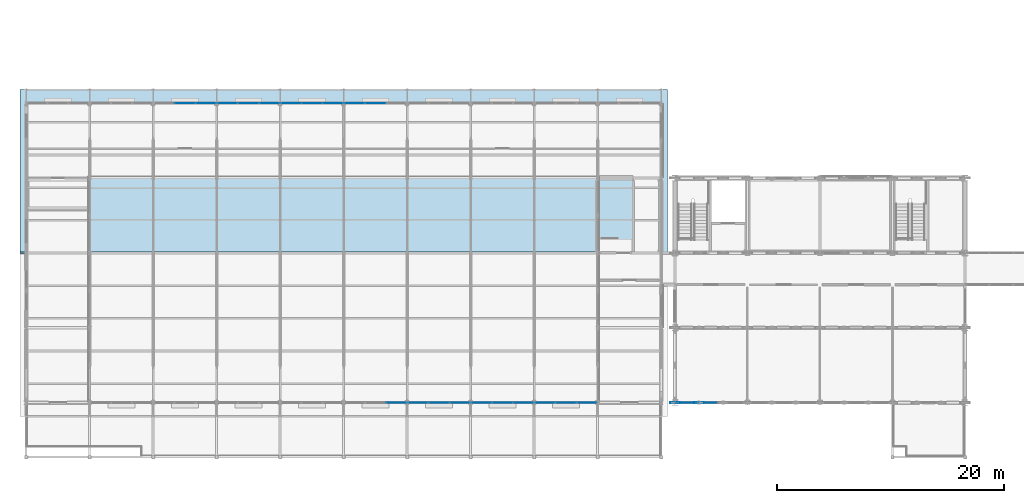
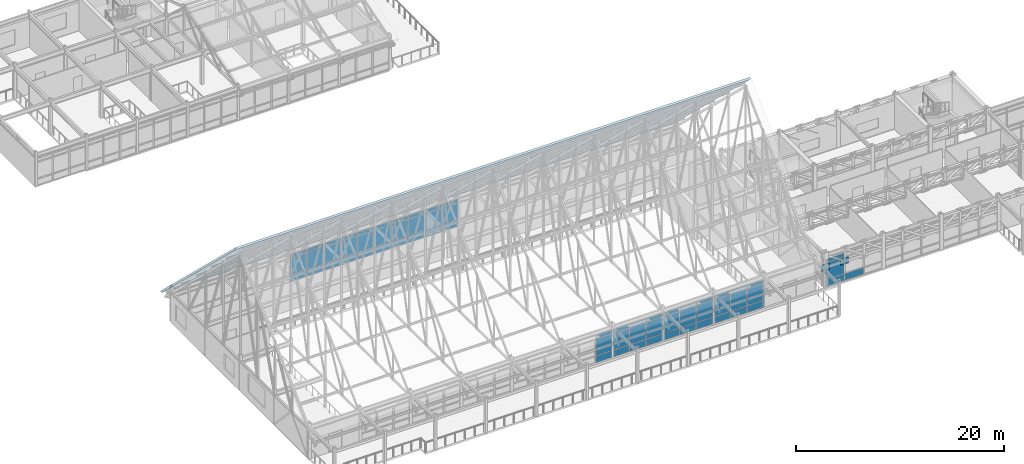
# One storey, part 92 of 144: 66 plates, 1 slab, 9 elements without a shape of their own.
"""IFC4 building model written with IfcOpenShell, lengths in metres."""

from ifc_helpers import new_model, si_unit, direction, frame, origin, origin_2d, place, context, subcontext, project, spatial, polyline, rectangle, outline, extrude, material, layer, layer_set, type_object, element, aggregate, save


model = new_model("IFC4")

# Units and contexts
model_context = context("Model", 3, precision=1e-05, world=origin(), true_north=direction((0.0, 1.0)))
body_context = subcontext(model_context, "Body", "Model", "MODEL_VIEW")
ifc_project = project(units=[si_unit("LENGTHUNIT", "METRE"), si_unit("AREAUNIT", "SQUARE_METRE"), si_unit("VOLUMEUNIT", "CUBIC_METRE"), si_unit("PLANEANGLEUNIT", "RADIAN"), si_unit("MASSUNIT", "GRAM", prefix="KILO")], contexts=[model_context])

# Site, building, storey
site_placement = place(None, origin())
site = spatial("IfcSite", under=ifc_project, at=site_placement, CompositionType="ELEMENT")
building_placement = place(site_placement, origin())
building = spatial("IfcBuilding", under=site, at=building_placement, Name="Trelmorton Wharf Fire Station", CompositionType="ELEMENT")
storey_placement = place(building_placement, frame((0.0, 0.0, 5.39990234375)))
storey = spatial("IfcBuildingStorey", under=building, at=storey_placement, Name="L01", CompositionType="ELEMENT", Elevation=5.39990234375)

# Curtain wall, plates
ifc_material_1 = material(Name="Anodised aluminium AW-6063", Category="aluminium")
ifc_layer_1 = layer(ifc_material_1, 0.159912109375)
ifc_layer_set_1 = layer_set([ifc_layer_1], Name="Anodised aluminium AW-6063")
curtain_wall_type_1 = type_object("IfcCurtainWallType", Name="CW_CHIC_A", PredefinedType="USERDEFINED", material=ifc_layer_set_1)
curtain_wall_1_placement = place(storey_placement, origin())
curtain_wall_1 = element("IfcCurtainWall", 1, at=curtain_wall_1_placement, inside=storey, type_object=curtain_wall_type_1, Name="CW-V1-L01-005", ObjectType="CHICAGO BAY CURTAIN WALL", PredefinedType="USERDEFINED")
ifc_material_2 = material(Name="Tempered low-E double glazing", Category="glass")
ifc_layer_2 = layer(ifc_material_2, 0.028076171875)
ifc_layer_set_2 = layer_set([ifc_layer_2], Name="Tempered low-E double glazing")
plate_type_1 = type_object("IfcPlateType", Name="CWP_GLAZ_28", PredefinedType="CURTAIN_PANEL", material=ifc_layer_set_2)
plate_1_placement = place(storey_placement, frame((33.4482421875, 7.800048828125, 0.06005859375), z_axis=(0.0, 0.0, 1.0), x_axis=(-1.0, 0.0, 0.0)))
plate_1 = element("IfcPlate", 2, at=plate_1_placement, type_object=plate_type_1, Name="CW1 panel 1.1", PredefinedType="CURTAIN_PANEL", context=body_context, shape_type="SweptSolid", body=[
    extrude(rectangle(XDim=1.7734375, YDim=0.028076171875, at=origin_2d()), origin(), (0.0, 0.0, 1.0), 0.760009765625),
])
plate_2_placement = place(storey_placement, frame((33.4482421875, 7.800048828125, 0.88037109375), z_axis=(0.0, 0.0, 1.0), x_axis=(-1.0, 0.0, 0.0)))
plate_2 = element("IfcPlate", 3, at=plate_2_placement, type_object=plate_type_1, Name="CW1 panel 1.2", PredefinedType="CURTAIN_PANEL", context=body_context, shape_type="SweptSolid", body=[
    extrude(rectangle(XDim=1.7734375, YDim=0.028076171875, at=origin_2d()), origin(), (0.0, 0.0, 1.0), 1.909912109375),
])
plate_3_placement = place(storey_placement, frame((33.4482421875, 7.800048828125, 2.85009765625), z_axis=(0.0, 0.0, 1.0), x_axis=(-1.0, 0.0, 0.0)))
plate_3 = element("IfcPlate", 4, at=plate_3_placement, type_object=plate_type_1, Name="CW1 panel 1.3", PredefinedType="CURTAIN_PANEL", context=body_context, shape_type="SweptSolid", body=[
    extrude(rectangle(XDim=1.7734375, YDim=0.028076171875, at=origin_2d()), origin(), (0.0, 0.0, 1.0), 0.409912109375),
])
aggregate(curtain_wall_1, [plate_1, plate_2, plate_3])

curtain_wall_2_placement = place(storey_placement, origin())
curtain_wall_2 = element("IfcCurtainWall", 5, at=curtain_wall_2_placement, inside=storey, type_object=curtain_wall_type_1, Name="CW-V1-L01-007", ObjectType="CHICAGO BAY CURTAIN WALL", PredefinedType="USERDEFINED")
plate_4_placement = place(storey_placement, frame((44.6484375, 7.800048828125, 0.06005859375), z_axis=(0.0, 0.0, 1.0), x_axis=(-1.0, 0.0, 0.0)))
plate_4 = element("IfcPlate", 6, at=plate_4_placement, type_object=plate_type_1, Name="CW1 panel 1.1", PredefinedType="CURTAIN_PANEL", context=body_context, shape_type="SweptSolid", body=[
    extrude(rectangle(XDim=1.7734375, YDim=0.028076171875, at=origin_2d()), origin(), (0.0, 0.0, 1.0), 0.760009765625),
])
plate_5_placement = place(storey_placement, frame((44.6484375, 7.800048828125, 0.88037109375), z_axis=(0.0, 0.0, 1.0), x_axis=(-1.0, 0.0, 0.0)))
plate_5 = element("IfcPlate", 7, at=plate_5_placement, type_object=plate_type_1, Name="CW1 panel 1.2", PredefinedType="CURTAIN_PANEL", context=body_context, shape_type="SweptSolid", body=[
    extrude(rectangle(XDim=1.7734375, YDim=0.028076171875, at=origin_2d()), origin(), (0.0, 0.0, 1.0), 1.909912109375),
])
plate_6_placement = place(storey_placement, frame((44.6484375, 7.800048828125, 2.85009765625), z_axis=(0.0, 0.0, 1.0), x_axis=(-1.0, 0.0, 0.0)))
plate_6 = element("IfcPlate", 8, at=plate_6_placement, type_object=plate_type_1, Name="CW1 panel 1.3", PredefinedType="CURTAIN_PANEL", context=body_context, shape_type="SweptSolid", body=[
    extrude(rectangle(XDim=1.7734375, YDim=0.028076171875, at=origin_2d()), origin(), (0.0, 0.0, 1.0), 0.409912109375),
])
plate_7_placement = place(storey_placement, frame((42.800048828125, 7.800048828125, 0.06005859375), z_axis=(0.0, 0.0, 1.0), x_axis=(-1.0, 0.0, 0.0)))
plate_7 = element("IfcPlate", 9, at=plate_7_placement, type_object=plate_type_1, Name="CW1 panel 2.1", PredefinedType="CURTAIN_PANEL", context=body_context, shape_type="SweptSolid", body=[
    extrude(rectangle(XDim=1.80322265625, YDim=0.028076171875, at=origin_2d()), origin(), (0.0, 0.0, 1.0), 0.760009765625),
])
plate_8_placement = place(storey_placement, frame((42.800048828125, 7.800048828125, 0.88037109375), z_axis=(0.0, 0.0, 1.0), x_axis=(-1.0, 0.0, 0.0)))
plate_8 = element("IfcPlate", 10, at=plate_8_placement, type_object=plate_type_1, Name="CW1 panel 2.2", PredefinedType="CURTAIN_PANEL", context=body_context, shape_type="SweptSolid", body=[
    extrude(rectangle(XDim=1.80322265625, YDim=0.028076171875, at=origin_2d()), origin(), (0.0, 0.0, 1.0), 1.909912109375),
])
plate_9_placement = place(storey_placement, frame((42.800048828125, 7.800048828125, 2.85009765625), z_axis=(0.0, 0.0, 1.0), x_axis=(-1.0, 0.0, 0.0)))
plate_9 = element("IfcPlate", 11, at=plate_9_placement, type_object=plate_type_1, Name="CW1 panel 2.3", PredefinedType="CURTAIN_PANEL", context=body_context, shape_type="SweptSolid", body=[
    extrude(rectangle(XDim=1.80322265625, YDim=0.028076171875, at=origin_2d()), origin(), (0.0, 0.0, 1.0), 0.409912109375),
])
plate_10_placement = place(storey_placement, frame((40.95166015625, 7.800048828125, 0.06005859375), z_axis=(0.0, 0.0, 1.0), x_axis=(-1.0, 0.0, 0.0)))
plate_10 = element("IfcPlate", 12, at=plate_10_placement, type_object=plate_type_1, Name="CW1 panel 3.1", PredefinedType="CURTAIN_PANEL", context=body_context, shape_type="SweptSolid", body=[
    extrude(rectangle(XDim=1.7734375, YDim=0.028076171875, at=origin_2d()), origin(), (0.0, 0.0, 1.0), 0.760009765625),
])
plate_11_placement = place(storey_placement, frame((40.95166015625, 7.800048828125, 0.88037109375), z_axis=(0.0, 0.0, 1.0), x_axis=(-1.0, 0.0, 0.0)))
plate_11 = element("IfcPlate", 13, at=plate_11_placement, type_object=plate_type_1, Name="CW1 panel 3.2", PredefinedType="CURTAIN_PANEL", context=body_context, shape_type="SweptSolid", body=[
    extrude(rectangle(XDim=1.7734375, YDim=0.028076171875, at=origin_2d()), origin(), (0.0, 0.0, 1.0), 1.909912109375),
])
plate_12_placement = place(storey_placement, frame((40.95166015625, 7.800048828125, 2.85009765625), z_axis=(0.0, 0.0, 1.0), x_axis=(-1.0, 0.0, 0.0)))
plate_12 = element("IfcPlate", 14, at=plate_12_placement, type_object=plate_type_1, Name="CW1 panel 3.3", PredefinedType="CURTAIN_PANEL", context=body_context, shape_type="SweptSolid", body=[
    extrude(rectangle(XDim=1.7734375, YDim=0.028076171875, at=origin_2d()), origin(), (0.0, 0.0, 1.0), 0.409912109375),
])
aggregate(curtain_wall_2, [plate_4, plate_5, plate_6, plate_7, plate_8, plate_9, plate_10, plate_11, plate_12])

curtain_wall_3_placement = place(storey_placement, origin())
curtain_wall_3 = element("IfcCurtainWall", 15, at=curtain_wall_3_placement, inside=storey, type_object=curtain_wall_type_1, Name="CW-V1-L01-008", ObjectType="CHICAGO BAY CURTAIN WALL", PredefinedType="USERDEFINED")
plate_13_placement = place(storey_placement, frame((50.248291015625, 7.800048828125, 0.06005859375), z_axis=(0.0, 0.0, 1.0), x_axis=(-1.0, 0.0, 0.0)))
plate_13 = element("IfcPlate", 16, at=plate_13_placement, type_object=plate_type_1, Name="CW1 panel 1.1", PredefinedType="CURTAIN_PANEL", context=body_context, shape_type="SweptSolid", body=[
    extrude(rectangle(XDim=1.7734375, YDim=0.028076171875, at=origin_2d()), origin(), (0.0, 0.0, 1.0), 0.760009765625),
])
plate_14_placement = place(storey_placement, frame((50.248291015625, 7.800048828125, 0.88037109375), z_axis=(0.0, 0.0, 1.0), x_axis=(-1.0, 0.0, 0.0)))
plate_14 = element("IfcPlate", 17, at=plate_14_placement, type_object=plate_type_1, Name="CW1 panel 1.2", PredefinedType="CURTAIN_PANEL", context=body_context, shape_type="SweptSolid", body=[
    extrude(rectangle(XDim=1.7734375, YDim=0.028076171875, at=origin_2d()), origin(), (0.0, 0.0, 1.0), 1.909912109375),
])
plate_15_placement = place(storey_placement, frame((50.248291015625, 7.800048828125, 2.85009765625), z_axis=(0.0, 0.0, 1.0), x_axis=(-1.0, 0.0, 0.0)))
plate_15 = element("IfcPlate", 18, at=plate_15_placement, type_object=plate_type_1, Name="CW1 panel 1.3", PredefinedType="CURTAIN_PANEL", context=body_context, shape_type="SweptSolid", body=[
    extrude(rectangle(XDim=1.7734375, YDim=0.028076171875, at=origin_2d()), origin(), (0.0, 0.0, 1.0), 0.409912109375),
])
plate_16_placement = place(storey_placement, frame((48.39990234375, 7.800048828125, 0.06005859375), z_axis=(0.0, 0.0, 1.0), x_axis=(-1.0, 0.0, 0.0)))
plate_16 = element("IfcPlate", 19, at=plate_16_placement, type_object=plate_type_1, Name="CW1 panel 2.1", PredefinedType="CURTAIN_PANEL", context=body_context, shape_type="SweptSolid", body=[
    extrude(rectangle(XDim=1.80322265625, YDim=0.028076171875, at=origin_2d()), origin(), (0.0, 0.0, 1.0), 0.760009765625),
])
plate_17_placement = place(storey_placement, frame((48.39990234375, 7.800048828125, 0.88037109375), z_axis=(0.0, 0.0, 1.0), x_axis=(-1.0, 0.0, 0.0)))
plate_17 = element("IfcPlate", 20, at=plate_17_placement, type_object=plate_type_1, Name="CW1 panel 2.2", PredefinedType="CURTAIN_PANEL", context=body_context, shape_type="SweptSolid", body=[
    extrude(rectangle(XDim=1.80322265625, YDim=0.028076171875, at=origin_2d()), origin(), (0.0, 0.0, 1.0), 1.909912109375),
])
plate_18_placement = place(storey_placement, frame((48.39990234375, 7.800048828125, 2.85009765625), z_axis=(0.0, 0.0, 1.0), x_axis=(-1.0, 0.0, 0.0)))
plate_18 = element("IfcPlate", 21, at=plate_18_placement, type_object=plate_type_1, Name="CW1 panel 2.3", PredefinedType="CURTAIN_PANEL", context=body_context, shape_type="SweptSolid", body=[
    extrude(rectangle(XDim=1.80322265625, YDim=0.028076171875, at=origin_2d()), origin(), (0.0, 0.0, 1.0), 0.409912109375),
])
plate_19_placement = place(storey_placement, frame((46.5517578125, 7.800048828125, 0.06005859375), z_axis=(0.0, 0.0, 1.0), x_axis=(-1.0, 0.0, 0.0)))
plate_19 = element("IfcPlate", 22, at=plate_19_placement, type_object=plate_type_1, Name="CW1 panel 3.1", PredefinedType="CURTAIN_PANEL", context=body_context, shape_type="SweptSolid", body=[
    extrude(rectangle(XDim=1.7734375, YDim=0.028076171875, at=origin_2d()), origin(), (0.0, 0.0, 1.0), 0.760009765625),
])
plate_20_placement = place(storey_placement, frame((46.5517578125, 7.800048828125, 0.88037109375), z_axis=(0.0, 0.0, 1.0), x_axis=(-1.0, 0.0, 0.0)))
plate_20 = element("IfcPlate", 23, at=plate_20_placement, type_object=plate_type_1, Name="CW1 panel 3.2", PredefinedType="CURTAIN_PANEL", context=body_context, shape_type="SweptSolid", body=[
    extrude(rectangle(XDim=1.7734375, YDim=0.028076171875, at=origin_2d()), origin(), (0.0, 0.0, 1.0), 1.909912109375),
])
plate_21_placement = place(storey_placement, frame((46.5517578125, 7.800048828125, 2.85009765625), z_axis=(0.0, 0.0, 1.0), x_axis=(-1.0, 0.0, 0.0)))
plate_21 = element("IfcPlate", 24, at=plate_21_placement, type_object=plate_type_1, Name="CW1 panel 3.3", PredefinedType="CURTAIN_PANEL", context=body_context, shape_type="SweptSolid", body=[
    extrude(rectangle(XDim=1.7734375, YDim=0.028076171875, at=origin_2d()), origin(), (0.0, 0.0, 1.0), 0.409912109375),
])
aggregate(curtain_wall_3, [plate_13, plate_14, plate_15, plate_16, plate_17, plate_18, plate_19, plate_20, plate_21])

ifc_layer_3 = layer(ifc_material_1, 0.175048828125)
ifc_layer_set_3 = layer_set([ifc_layer_3], Name="Anodised aluminium AW-6063")
curtain_wall_type_2 = type_object("IfcCurtainWallType", Name="CW_CHIC_B", PredefinedType="USERDEFINED", material=ifc_layer_set_3)
curtain_wall_4_placement = place(storey_placement, origin())
curtain_wall_4 = element("IfcCurtainWall", 25, at=curtain_wall_4_placement, inside=storey, type_object=curtain_wall_type_2, Name="CW-V1-L01-011", ObjectType="CHICAGO BAY CURTAIN WALL", PredefinedType="USERDEFINED")
plate_22_placement = place(storey_placement, frame((14.800048828125, 34.199951171875, 0.06005859375), z_axis=(0.0, 0.0, 1.0), x_axis=(1.0, 0.0, 0.0)))
plate_22 = element("IfcPlate", 26, at=plate_22_placement, type_object=plate_type_1, Name="CW2 panel 2.1", PredefinedType="CURTAIN_PANEL", context=body_context, shape_type="SweptSolid", body=[
    extrude(rectangle(XDim=1.80322265625, YDim=0.028076171875, at=origin_2d()), origin(), (0.0, 0.0, 1.0), 0.760009765625),
])
plate_23_placement = place(storey_placement, frame((14.800048828125, 34.199951171875, 0.88037109375), z_axis=(0.0, 0.0, 1.0), x_axis=(1.0, 0.0, 0.0)))
plate_23 = element("IfcPlate", 27, at=plate_23_placement, type_object=plate_type_1, Name="CW2 panel 2.2", PredefinedType="CURTAIN_PANEL", context=body_context, shape_type="SweptSolid", body=[
    extrude(rectangle(XDim=1.80322265625, YDim=0.028076171875, at=origin_2d()), origin(), (0.0, 0.0, 1.0), 1.909912109375),
])
plate_24_placement = place(storey_placement, frame((14.800048828125, 34.199951171875, 2.85009765625), z_axis=(0.0, 0.0, 1.0), x_axis=(1.0, 0.0, 0.0)))
plate_24 = element("IfcPlate", 28, at=plate_24_placement, type_object=plate_type_1, Name="CW2 panel 2.3", PredefinedType="CURTAIN_PANEL", context=body_context, shape_type="SweptSolid", body=[
    extrude(rectangle(XDim=1.80322265625, YDim=0.028076171875, at=origin_2d()), origin(), (0.0, 0.0, 1.0), 0.409912109375),
])
plate_25_placement = place(storey_placement, frame((16.6484375, 34.199951171875, 0.06005859375), z_axis=(0.0, 0.0, 1.0), x_axis=(1.0, 0.0, 0.0)))
plate_25 = element("IfcPlate", 29, at=plate_25_placement, type_object=plate_type_1, Name="CW2 panel 3.1", PredefinedType="CURTAIN_PANEL", context=body_context, shape_type="SweptSolid", body=[
    extrude(rectangle(XDim=1.7734375, YDim=0.028076171875, at=origin_2d()), origin(), (0.0, 0.0, 1.0), 0.760009765625),
])
plate_26_placement = place(storey_placement, frame((16.6484375, 34.199951171875, 0.88037109375), z_axis=(0.0, 0.0, 1.0), x_axis=(1.0, 0.0, 0.0)))
plate_26 = element("IfcPlate", 30, at=plate_26_placement, type_object=plate_type_1, Name="CW2 panel 3.2", PredefinedType="CURTAIN_PANEL", context=body_context, shape_type="SweptSolid", body=[
    extrude(rectangle(XDim=1.7734375, YDim=0.028076171875, at=origin_2d()), origin(), (0.0, 0.0, 1.0), 1.909912109375),
])
plate_27_placement = place(storey_placement, frame((16.6484375, 34.199951171875, 2.85009765625), z_axis=(0.0, 0.0, 1.0), x_axis=(1.0, 0.0, 0.0)))
plate_27 = element("IfcPlate", 31, at=plate_27_placement, type_object=plate_type_1, Name="CW2 panel 3.3", PredefinedType="CURTAIN_PANEL", context=body_context, shape_type="SweptSolid", body=[
    extrude(rectangle(XDim=1.7734375, YDim=0.028076171875, at=origin_2d()), origin(), (0.0, 0.0, 1.0), 0.409912109375),
])
aggregate(curtain_wall_4, [plate_22, plate_23, plate_24, plate_25, plate_26, plate_27])

curtain_wall_5_placement = place(storey_placement, origin())
curtain_wall_5 = element("IfcCurtainWall", 32, at=curtain_wall_5_placement, inside=storey, type_object=curtain_wall_type_2, Name="CW-V1-L01-013", ObjectType="CHICAGO BAY CURTAIN WALL", PredefinedType="USERDEFINED")
plate_28_placement = place(storey_placement, frame((24.151611328125, 34.199951171875, 0.06005859375), z_axis=(0.0, 0.0, 1.0), x_axis=(1.0, 0.0, 0.0)))
plate_28 = element("IfcPlate", 33, at=plate_28_placement, type_object=plate_type_1, Name="CW2 panel 1.1", PredefinedType="CURTAIN_PANEL", context=body_context, shape_type="SweptSolid", body=[
    extrude(rectangle(XDim=1.7734375, YDim=0.028076171875, at=origin_2d()), origin(), (0.0, 0.0, 1.0), 0.760009765625),
])
plate_29_placement = place(storey_placement, frame((24.151611328125, 34.199951171875, 0.88037109375), z_axis=(0.0, 0.0, 1.0), x_axis=(1.0, 0.0, 0.0)))
plate_29 = element("IfcPlate", 34, at=plate_29_placement, type_object=plate_type_1, Name="CW2 panel 1.2", PredefinedType="CURTAIN_PANEL", context=body_context, shape_type="SweptSolid", body=[
    extrude(rectangle(XDim=1.7734375, YDim=0.028076171875, at=origin_2d()), origin(), (0.0, 0.0, 1.0), 1.909912109375),
])
plate_30_placement = place(storey_placement, frame((24.151611328125, 34.199951171875, 2.85009765625), z_axis=(0.0, 0.0, 1.0), x_axis=(1.0, 0.0, 0.0)))
plate_30 = element("IfcPlate", 35, at=plate_30_placement, type_object=plate_type_1, Name="CW2 panel 1.3", PredefinedType="CURTAIN_PANEL", context=body_context, shape_type="SweptSolid", body=[
    extrude(rectangle(XDim=1.7734375, YDim=0.028076171875, at=origin_2d()), origin(), (0.0, 0.0, 1.0), 0.409912109375),
])
plate_31_placement = place(storey_placement, frame((26.0, 34.199951171875, 0.06005859375), z_axis=(0.0, 0.0, 1.0), x_axis=(1.0, 0.0, 0.0)))
plate_31 = element("IfcPlate", 36, at=plate_31_placement, type_object=plate_type_1, Name="CW2 panel 2.1", PredefinedType="CURTAIN_PANEL", context=body_context, shape_type="SweptSolid", body=[
    extrude(rectangle(XDim=1.80322265625, YDim=0.028076171875, at=origin_2d()), origin(), (0.0, 0.0, 1.0), 0.760009765625),
])
plate_32_placement = place(storey_placement, frame((26.0, 34.199951171875, 0.88037109375), z_axis=(0.0, 0.0, 1.0), x_axis=(1.0, 0.0, 0.0)))
plate_32 = element("IfcPlate", 37, at=plate_32_placement, type_object=plate_type_1, Name="CW2 panel 2.2", PredefinedType="CURTAIN_PANEL", context=body_context, shape_type="SweptSolid", body=[
    extrude(rectangle(XDim=1.80322265625, YDim=0.028076171875, at=origin_2d()), origin(), (0.0, 0.0, 1.0), 1.909912109375),
])
plate_33_placement = place(storey_placement, frame((26.0, 34.199951171875, 2.85009765625), z_axis=(0.0, 0.0, 1.0), x_axis=(1.0, 0.0, 0.0)))
plate_33 = element("IfcPlate", 38, at=plate_33_placement, type_object=plate_type_1, Name="CW2 panel 2.3", PredefinedType="CURTAIN_PANEL", context=body_context, shape_type="SweptSolid", body=[
    extrude(rectangle(XDim=1.80322265625, YDim=0.028076171875, at=origin_2d()), origin(), (0.0, 0.0, 1.0), 0.409912109375),
])
plate_34_placement = place(storey_placement, frame((27.848388671875, 34.199951171875, 0.06005859375), z_axis=(0.0, 0.0, 1.0), x_axis=(1.0, 0.0, 0.0)))
plate_34 = element("IfcPlate", 39, at=plate_34_placement, type_object=plate_type_1, Name="CW2 panel 3.1", PredefinedType="CURTAIN_PANEL", context=body_context, shape_type="SweptSolid", body=[
    extrude(rectangle(XDim=1.7734375, YDim=0.028076171875, at=origin_2d()), origin(), (0.0, 0.0, 1.0), 0.760009765625),
])
plate_35_placement = place(storey_placement, frame((27.848388671875, 34.199951171875, 0.88037109375), z_axis=(0.0, 0.0, 1.0), x_axis=(1.0, 0.0, 0.0)))
plate_35 = element("IfcPlate", 40, at=plate_35_placement, type_object=plate_type_1, Name="CW2 panel 3.2", PredefinedType="CURTAIN_PANEL", context=body_context, shape_type="SweptSolid", body=[
    extrude(rectangle(XDim=1.7734375, YDim=0.028076171875, at=origin_2d()), origin(), (0.0, 0.0, 1.0), 1.909912109375),
])
plate_36_placement = place(storey_placement, frame((27.848388671875, 34.199951171875, 2.85009765625), z_axis=(0.0, 0.0, 1.0), x_axis=(1.0, 0.0, 0.0)))
plate_36 = element("IfcPlate", 41, at=plate_36_placement, type_object=plate_type_1, Name="CW2 panel 3.3", PredefinedType="CURTAIN_PANEL", context=body_context, shape_type="SweptSolid", body=[
    extrude(rectangle(XDim=1.7734375, YDim=0.028076171875, at=origin_2d()), origin(), (0.0, 0.0, 1.0), 0.409912109375),
])
aggregate(curtain_wall_5, [plate_28, plate_29, plate_30, plate_31, plate_32, plate_33, plate_34, plate_35, plate_36])

curtain_wall_6_placement = place(storey_placement, origin())
curtain_wall_6 = element("IfcCurtainWall", 42, at=curtain_wall_6_placement, inside=storey, type_object=curtain_wall_type_2, Name="CW-V1-L01-014", ObjectType="CHICAGO BAY CURTAIN WALL", PredefinedType="USERDEFINED")
plate_37_placement = place(storey_placement, frame((29.751708984375, 34.199951171875, 0.06005859375), z_axis=(0.0, 0.0, 1.0), x_axis=(1.0, 0.0, 0.0)))
plate_37 = element("IfcPlate", 43, at=plate_37_placement, type_object=plate_type_1, Name="CW2 panel 1.1", PredefinedType="CURTAIN_PANEL", context=body_context, shape_type="SweptSolid", body=[
    extrude(rectangle(XDim=1.7734375, YDim=0.028076171875, at=origin_2d()), origin(), (0.0, 0.0, 1.0), 0.760009765625),
])
plate_38_placement = place(storey_placement, frame((29.751708984375, 34.199951171875, 0.88037109375), z_axis=(0.0, 0.0, 1.0), x_axis=(1.0, 0.0, 0.0)))
plate_38 = element("IfcPlate", 44, at=plate_38_placement, type_object=plate_type_1, Name="CW2 panel 1.2", PredefinedType="CURTAIN_PANEL", context=body_context, shape_type="SweptSolid", body=[
    extrude(rectangle(XDim=1.7734375, YDim=0.028076171875, at=origin_2d()), origin(), (0.0, 0.0, 1.0), 1.909912109375),
])
plate_39_placement = place(storey_placement, frame((29.751708984375, 34.199951171875, 2.85009765625), z_axis=(0.0, 0.0, 1.0), x_axis=(1.0, 0.0, 0.0)))
plate_39 = element("IfcPlate", 45, at=plate_39_placement, type_object=plate_type_1, Name="CW2 panel 1.3", PredefinedType="CURTAIN_PANEL", context=body_context, shape_type="SweptSolid", body=[
    extrude(rectangle(XDim=1.7734375, YDim=0.028076171875, at=origin_2d()), origin(), (0.0, 0.0, 1.0), 0.409912109375),
])
plate_40_placement = place(storey_placement, frame((31.60009765625, 34.199951171875, 0.06005859375), z_axis=(0.0, 0.0, 1.0), x_axis=(1.0, 0.0, 0.0)))
plate_40 = element("IfcPlate", 46, at=plate_40_placement, type_object=plate_type_1, Name="CW2 panel 2.1", PredefinedType="CURTAIN_PANEL", context=body_context, shape_type="SweptSolid", body=[
    extrude(rectangle(XDim=1.80322265625, YDim=0.028076171875, at=origin_2d()), origin(), (0.0, 0.0, 1.0), 0.760009765625),
])
plate_41_placement = place(storey_placement, frame((31.60009765625, 34.199951171875, 0.88037109375), z_axis=(0.0, 0.0, 1.0), x_axis=(1.0, 0.0, 0.0)))
plate_41 = element("IfcPlate", 47, at=plate_41_placement, type_object=plate_type_1, Name="CW2 panel 2.2", PredefinedType="CURTAIN_PANEL", context=body_context, shape_type="SweptSolid", body=[
    extrude(rectangle(XDim=1.80322265625, YDim=0.028076171875, at=origin_2d()), origin(), (0.0, 0.0, 1.0), 1.909912109375),
])
plate_42_placement = place(storey_placement, frame((31.60009765625, 34.199951171875, 2.85009765625), z_axis=(0.0, 0.0, 1.0), x_axis=(1.0, 0.0, 0.0)))
plate_42 = element("IfcPlate", 48, at=plate_42_placement, type_object=plate_type_1, Name="CW2 panel 2.3", PredefinedType="CURTAIN_PANEL", context=body_context, shape_type="SweptSolid", body=[
    extrude(rectangle(XDim=1.80322265625, YDim=0.028076171875, at=origin_2d()), origin(), (0.0, 0.0, 1.0), 0.409912109375),
])
aggregate(curtain_wall_6, [plate_37, plate_38, plate_39, plate_40, plate_41, plate_42])

curtain_wall_7_placement = place(storey_placement, origin())
curtain_wall_7 = element("IfcCurtainWall", 49, at=curtain_wall_7_placement, inside=storey, type_object=curtain_wall_type_1, Name="CW-V3-L01-022", ObjectType="CHICAGO BAY CURTAIN WALL", PredefinedType="USERDEFINED")
plate_43_placement = place(storey_placement, frame((61.199951171875, 7.800048828125, 0.06005859375), z_axis=(0.0, 0.0, 1.0), x_axis=(-1.0, 0.0, 0.0)))
plate_43 = element("IfcPlate", 50, at=plate_43_placement, type_object=plate_type_1, Name="CW1 panel 2.1", PredefinedType="CURTAIN_PANEL", context=body_context, shape_type="SweptSolid", body=[
    extrude(rectangle(XDim=2.070068359375, YDim=0.028076171875, at=origin_2d()), origin(), (0.0, 0.0, 1.0), 0.760009765625),
])
plate_44_placement = place(storey_placement, frame((59.0849609375, 7.800048828125, 0.06005859375), z_axis=(0.0, 0.0, 1.0), x_axis=(-1.0, 0.0, 0.0)))
plate_44 = element("IfcPlate", 51, at=plate_44_placement, type_object=plate_type_1, Name="CW1 panel 3.1", PredefinedType="CURTAIN_PANEL", context=body_context, shape_type="SweptSolid", body=[
    extrude(rectangle(XDim=2.0400390625, YDim=0.028076171875, at=origin_2d()), origin(), (0.0, 0.0, 1.0), 0.760009765625),
])
plate_45_placement = place(storey_placement, frame((59.0849609375, 7.800048828125, 0.88037109375), z_axis=(0.0, 0.0, 1.0), x_axis=(-1.0, 0.0, 0.0)))
plate_45 = element("IfcPlate", 52, at=plate_45_placement, type_object=plate_type_1, Name="CW1 panel 3.2", PredefinedType="CURTAIN_PANEL", context=body_context, shape_type="SweptSolid", body=[
    extrude(rectangle(XDim=2.0400390625, YDim=0.028076171875, at=origin_2d()), origin(), (0.0, 0.0, 1.0), 1.909912109375),
])
plate_46_placement = place(storey_placement, frame((59.0849609375, 7.800048828125, 2.85009765625), z_axis=(0.0, 0.0, 1.0), x_axis=(-1.0, 0.0, 0.0)))
plate_46 = element("IfcPlate", 53, at=plate_46_placement, type_object=plate_type_1, Name="CW1 panel 3.3", PredefinedType="CURTAIN_PANEL", context=body_context, shape_type="SweptSolid", body=[
    extrude(rectangle(XDim=2.0400390625, YDim=0.028076171875, at=origin_2d()), origin(), (0.0, 0.0, 1.0), 0.409912109375),
])
aggregate(curtain_wall_7, [plate_43, plate_44, plate_45, plate_46])

curtain_wall_8_placement = place(storey_placement, origin())
curtain_wall_8 = element("IfcCurtainWall", 54, at=curtain_wall_8_placement, inside=storey, type_object=curtain_wall_type_1, Name="CW-V1-L01-006", ObjectType="CHICAGO BAY CURTAIN WALL", PredefinedType="USERDEFINED")
ifc_material_3 = material(Name="Ceramic-fritted spandrel glazing", Category="glass")
ifc_layer_4 = layer(ifc_material_3, 0.028076171875)
ifc_layer_set_4 = layer_set([ifc_layer_4], Name="Ceramic-fritted spandrel glazing")
plate_type_2 = type_object("IfcPlateType", Name="CWP_SPAN_48", PredefinedType="CURTAIN_PANEL", material=ifc_layer_set_4)
plate_47_placement = place(storey_placement, frame((39.04833984375, 7.800048828125, 0.06005859375), z_axis=(0.0, 0.0, 1.0), x_axis=(-1.0, 0.0, 0.0)))
plate_47 = element("IfcPlate", 55, at=plate_47_placement, type_object=plate_type_2, Name="CW1 panel 1.1", PredefinedType="CURTAIN_PANEL", context=body_context, shape_type="SweptSolid", body=[
    extrude(rectangle(XDim=1.7734375, YDim=0.028076171875, at=origin_2d()), origin(), (0.0, 0.0, 1.0), 0.760009765625),
])
plate_48_placement = place(storey_placement, frame((39.04833984375, 7.800048828125, 0.88037109375), z_axis=(0.0, 0.0, 1.0), x_axis=(-1.0, 0.0, 0.0)))
plate_48 = element("IfcPlate", 56, at=plate_48_placement, type_object=plate_type_2, Name="CW1 panel 1.2", PredefinedType="CURTAIN_PANEL", context=body_context, shape_type="SweptSolid", body=[
    extrude(rectangle(XDim=1.7734375, YDim=0.028076171875, at=origin_2d()), origin(), (0.0, 0.0, 1.0), 1.909912109375),
])
plate_49_placement = place(storey_placement, frame((39.04833984375, 7.800048828125, 2.85009765625), z_axis=(0.0, 0.0, 1.0), x_axis=(-1.0, 0.0, 0.0)))
plate_49 = element("IfcPlate", 57, at=plate_49_placement, type_object=plate_type_2, Name="CW1 panel 1.3", PredefinedType="CURTAIN_PANEL", context=body_context, shape_type="SweptSolid", body=[
    extrude(rectangle(XDim=1.7734375, YDim=0.028076171875, at=origin_2d()), origin(), (0.0, 0.0, 1.0), 0.409912109375),
])
plate_50_placement = place(storey_placement, frame((37.199951171875, 7.800048828125, 0.06005859375), z_axis=(0.0, 0.0, 1.0), x_axis=(-1.0, 0.0, 0.0)))
plate_50 = element("IfcPlate", 58, at=plate_50_placement, type_object=plate_type_2, Name="CW1 panel 2.1", PredefinedType="CURTAIN_PANEL", context=body_context, shape_type="SweptSolid", body=[
    extrude(rectangle(XDim=1.80322265625, YDim=0.028076171875, at=origin_2d()), origin(), (0.0, 0.0, 1.0), 0.760009765625),
])
plate_51_placement = place(storey_placement, frame((37.199951171875, 7.800048828125, 0.88037109375), z_axis=(0.0, 0.0, 1.0), x_axis=(-1.0, 0.0, 0.0)))
plate_51 = element("IfcPlate", 59, at=plate_51_placement, type_object=plate_type_2, Name="CW1 panel 2.2", PredefinedType="CURTAIN_PANEL", context=body_context, shape_type="SweptSolid", body=[
    extrude(rectangle(XDim=1.80322265625, YDim=0.028076171875, at=origin_2d()), origin(), (0.0, 0.0, 1.0), 1.909912109375),
])
plate_52_placement = place(storey_placement, frame((37.199951171875, 7.800048828125, 2.85009765625), z_axis=(0.0, 0.0, 1.0), x_axis=(-1.0, 0.0, 0.0)))
plate_52 = element("IfcPlate", 60, at=plate_52_placement, type_object=plate_type_2, Name="CW1 panel 2.3", PredefinedType="CURTAIN_PANEL", context=body_context, shape_type="SweptSolid", body=[
    extrude(rectangle(XDim=1.80322265625, YDim=0.028076171875, at=origin_2d()), origin(), (0.0, 0.0, 1.0), 0.409912109375),
])
plate_53_placement = place(storey_placement, frame((35.3515625, 7.800048828125, 0.06005859375), z_axis=(0.0, 0.0, 1.0), x_axis=(-1.0, 0.0, 0.0)))
plate_53 = element("IfcPlate", 61, at=plate_53_placement, type_object=plate_type_2, Name="CW1 panel 3.1", PredefinedType="CURTAIN_PANEL", context=body_context, shape_type="SweptSolid", body=[
    extrude(rectangle(XDim=1.7734375, YDim=0.028076171875, at=origin_2d()), origin(), (0.0, 0.0, 1.0), 0.760009765625),
])
plate_54_placement = place(storey_placement, frame((35.3515625, 7.800048828125, 0.88037109375), z_axis=(0.0, 0.0, 1.0), x_axis=(-1.0, 0.0, 0.0)))
plate_54 = element("IfcPlate", 62, at=plate_54_placement, type_object=plate_type_2, Name="CW1 panel 3.2", PredefinedType="CURTAIN_PANEL", context=body_context, shape_type="SweptSolid", body=[
    extrude(rectangle(XDim=1.7734375, YDim=0.028076171875, at=origin_2d()), origin(), (0.0, 0.0, 1.0), 1.909912109375),
])
plate_55_placement = place(storey_placement, frame((35.3515625, 7.800048828125, 2.85009765625), z_axis=(0.0, 0.0, 1.0), x_axis=(-1.0, 0.0, 0.0)))
plate_55 = element("IfcPlate", 63, at=plate_55_placement, type_object=plate_type_2, Name="CW1 panel 3.3", PredefinedType="CURTAIN_PANEL", context=body_context, shape_type="SweptSolid", body=[
    extrude(rectangle(XDim=1.7734375, YDim=0.028076171875, at=origin_2d()), origin(), (0.0, 0.0, 1.0), 0.409912109375),
])
aggregate(curtain_wall_8, [plate_47, plate_48, plate_49, plate_50, plate_51, plate_52, plate_53, plate_54, plate_55])

curtain_wall_9_placement = place(storey_placement, origin())
curtain_wall_9 = element("IfcCurtainWall", 64, at=curtain_wall_9_placement, inside=storey, type_object=curtain_wall_type_2, Name="CW-V1-L01-012", ObjectType="CHICAGO BAY CURTAIN WALL", PredefinedType="USERDEFINED")
plate_56_placement = place(storey_placement, frame((18.5517578125, 34.199951171875, 0.06005859375), z_axis=(0.0, 0.0, 1.0), x_axis=(1.0, 0.0, 0.0)))
plate_56 = element("IfcPlate", 65, at=plate_56_placement, type_object=plate_type_2, Name="CW2 panel 1.1", PredefinedType="CURTAIN_PANEL", context=body_context, shape_type="SweptSolid", body=[
    extrude(rectangle(XDim=1.7734375, YDim=0.028076171875, at=origin_2d()), origin(), (0.0, 0.0, 1.0), 0.760009765625),
])
plate_57_placement = place(storey_placement, frame((18.5517578125, 34.199951171875, 0.88037109375), z_axis=(0.0, 0.0, 1.0), x_axis=(1.0, 0.0, 0.0)))
plate_57 = element("IfcPlate", 66, at=plate_57_placement, type_object=plate_type_2, Name="CW2 panel 1.2", PredefinedType="CURTAIN_PANEL", context=body_context, shape_type="SweptSolid", body=[
    extrude(rectangle(XDim=1.7734375, YDim=0.028076171875, at=origin_2d()), origin(), (0.0, 0.0, 1.0), 1.909912109375),
])
plate_58_placement = place(storey_placement, frame((18.5517578125, 34.199951171875, 2.85009765625), z_axis=(0.0, 0.0, 1.0), x_axis=(1.0, 0.0, 0.0)))
plate_58 = element("IfcPlate", 67, at=plate_58_placement, type_object=plate_type_2, Name="CW2 panel 1.3", PredefinedType="CURTAIN_PANEL", context=body_context, shape_type="SweptSolid", body=[
    extrude(rectangle(XDim=1.7734375, YDim=0.028076171875, at=origin_2d()), origin(), (0.0, 0.0, 1.0), 0.409912109375),
])
plate_59_placement = place(storey_placement, frame((20.39990234375, 34.199951171875, 0.06005859375), z_axis=(0.0, 0.0, 1.0), x_axis=(1.0, 0.0, 0.0)))
plate_59 = element("IfcPlate", 68, at=plate_59_placement, type_object=plate_type_2, Name="CW2 panel 2.1", PredefinedType="CURTAIN_PANEL", context=body_context, shape_type="SweptSolid", body=[
    extrude(rectangle(XDim=1.80322265625, YDim=0.028076171875, at=origin_2d()), origin(), (0.0, 0.0, 1.0), 0.760009765625),
])
plate_60_placement = place(storey_placement, frame((20.39990234375, 34.199951171875, 0.88037109375), z_axis=(0.0, 0.0, 1.0), x_axis=(1.0, 0.0, 0.0)))
plate_60 = element("IfcPlate", 69, at=plate_60_placement, type_object=plate_type_2, Name="CW2 panel 2.2", PredefinedType="CURTAIN_PANEL", context=body_context, shape_type="SweptSolid", body=[
    extrude(rectangle(XDim=1.80322265625, YDim=0.028076171875, at=origin_2d()), origin(), (0.0, 0.0, 1.0), 1.909912109375),
])
plate_61_placement = place(storey_placement, frame((20.39990234375, 34.199951171875, 2.85009765625), z_axis=(0.0, 0.0, 1.0), x_axis=(1.0, 0.0, 0.0)))
plate_61 = element("IfcPlate", 70, at=plate_61_placement, type_object=plate_type_2, Name="CW2 panel 2.3", PredefinedType="CURTAIN_PANEL", context=body_context, shape_type="SweptSolid", body=[
    extrude(rectangle(XDim=1.80322265625, YDim=0.028076171875, at=origin_2d()), origin(), (0.0, 0.0, 1.0), 0.409912109375),
])
plate_62_placement = place(storey_placement, frame((22.248291015625, 34.199951171875, 0.06005859375), z_axis=(0.0, 0.0, 1.0), x_axis=(1.0, 0.0, 0.0)))
plate_62 = element("IfcPlate", 71, at=plate_62_placement, type_object=plate_type_2, Name="CW2 panel 3.1", PredefinedType="CURTAIN_PANEL", context=body_context, shape_type="SweptSolid", body=[
    extrude(rectangle(XDim=1.7734375, YDim=0.028076171875, at=origin_2d()), origin(), (0.0, 0.0, 1.0), 0.760009765625),
])
plate_63_placement = place(storey_placement, frame((22.248291015625, 34.199951171875, 0.88037109375), z_axis=(0.0, 0.0, 1.0), x_axis=(1.0, 0.0, 0.0)))
plate_63 = element("IfcPlate", 72, at=plate_63_placement, type_object=plate_type_2, Name="CW2 panel 3.2", PredefinedType="CURTAIN_PANEL", context=body_context, shape_type="SweptSolid", body=[
    extrude(rectangle(XDim=1.7734375, YDim=0.028076171875, at=origin_2d()), origin(), (0.0, 0.0, 1.0), 1.909912109375),
])
plate_64_placement = place(storey_placement, frame((22.248291015625, 34.199951171875, 2.85009765625), z_axis=(0.0, 0.0, 1.0), x_axis=(1.0, 0.0, 0.0)))
plate_64 = element("IfcPlate", 73, at=plate_64_placement, type_object=plate_type_2, Name="CW2 panel 3.3", PredefinedType="CURTAIN_PANEL", context=body_context, shape_type="SweptSolid", body=[
    extrude(rectangle(XDim=1.7734375, YDim=0.028076171875, at=origin_2d()), origin(), (0.0, 0.0, 1.0), 0.409912109375),
])
aggregate(curtain_wall_9, [plate_56, plate_57, plate_58, plate_59, plate_60, plate_61, plate_62, plate_63, plate_64])

# Plates
ifc_material_4 = material(Name="Steel Grade 350", Category="steel")
ifc_layer_5 = layer(ifc_material_4, 0.06005859375)
ifc_layer_set_5 = layer_set([ifc_layer_5], Name="Steel Grade 350")
plate_type_3 = type_object("IfcPlateType", Name="PL_GUSSET_KTN1", PredefinedType="USERDEFINED", material=ifc_layer_set_5)
for number, where, z_axis, x_axis, name in (
    (74, (58.011962890625, 7.800048828125, 1.97509765625), (0.0, 0.0, 1.0), (1.0, 0.0, 0.0), "PL-KTN-0001"),
    (75, (60.13330078125, 7.800048828125, 1.97509765625), (0.0, 0.0, 1.0), (1.0, 0.0, 0.0), "PL-KTN-0003"),
):
    element("IfcPlate", number, at=place(storey_placement, frame(where, z_axis=z_axis, x_axis=x_axis)), inside=storey, type_object=plate_type_3, Name=name, ObjectType="GUSSET PLATE", PredefinedType="USERDEFINED", context=body_context, shape_type="SweptSolid", body=[
        extrude(rectangle(XDim=0.85009765625, YDim=0.06005859375, at=origin_2d()), origin(), (0.0, 0.0, 1.0), 0.75),
    ])

# Slab
ifc_material_5 = material(Name="Precast concrete 45 MPa", Category="concrete")
ifc_layer_6 = layer(ifc_material_5, 0.199951171875)
ifc_layer_set_6 = layer_set([ifc_layer_6], Name="Precast concrete 45 MPa")
slab_type = type_object("IfcSlabType", Name="SL_ROOF_SLOPED_200", PredefinedType="ROOF", material=ifc_layer_set_6)
slab_placement = place(storey_placement, frame((0.25, 21.080078125, 16.800048828125), z_axis=(0.0, 0.692488045551, 0.721429349811), x_axis=(1.0, 0.0, 0.0)))
element("IfcSlab", 76, at=slab_placement, inside=storey, type_object=slab_type, Name="SL-ROOF-V1-N", PredefinedType="ROOF", context=body_context, shape_type="SweptSolid", body=[
    extrude(outline(polyline([(0.0, 0.0), (57.10009765625, 0.0), (57.10009765625, 19.849239877048525), (0.0, 19.849239877048525), (0.0, 0.0)])), origin(), (0.0, 0.0, -1.0), 0.199951171875),
])

save(model, "model.ifc")
